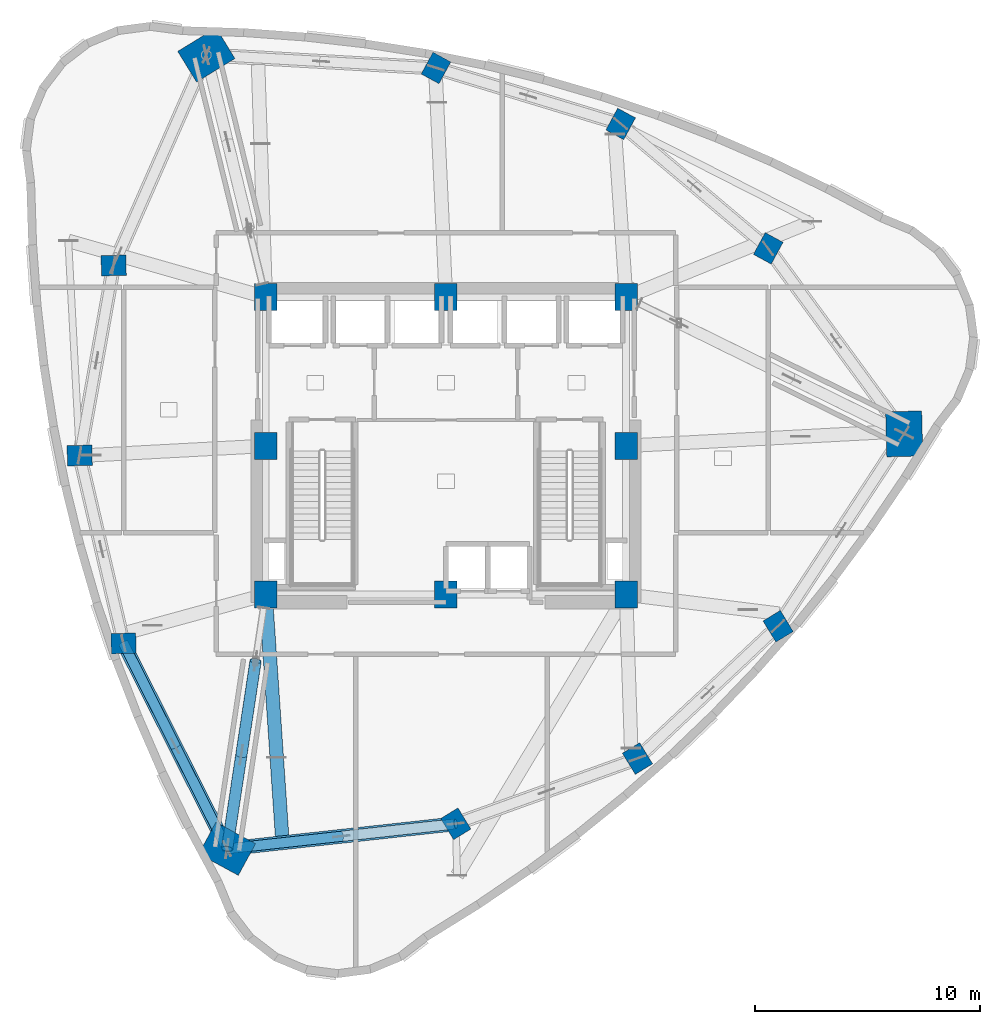
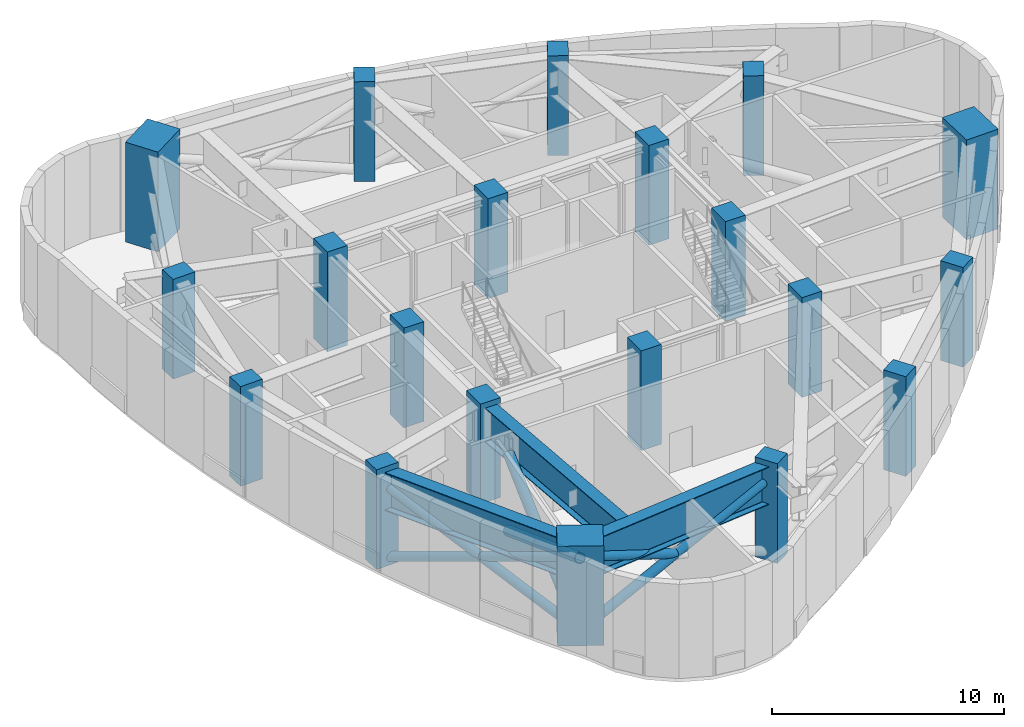
# One storey, part 1 of 12: 20 columns, 8 members, 3 beams.
"""IFC4 building model written with IfcOpenShell, lengths in metres."""

from ifc_helpers import new_model, si_unit, direction, frame, origin, origin_2d, place, context, subcontext, project, spatial, rectangle, hollow_circle, i_section, extrude, material, material_profile, profile_set, type_object, element, save


model = new_model("IFC4")

# Units and contexts
model_context = context("Model", 3, precision=1e-05, world=origin(), true_north=direction((0.0, 1.0)))
body_context = subcontext(model_context, "Body", "Model", "MODEL_VIEW")
ifc_project = project(units=[si_unit("LENGTHUNIT", "METRE"), si_unit("AREAUNIT", "SQUARE_METRE"), si_unit("VOLUMEUNIT", "CUBIC_METRE"), si_unit("PLANEANGLEUNIT", "RADIAN"), si_unit("MASSUNIT", "GRAM", prefix="KILO")], contexts=[model_context])

# Site, building, storey
site_placement = place(None, origin())
site = spatial("IfcSite", under=ifc_project, at=site_placement, CompositionType="ELEMENT")
building_placement = place(site_placement, origin())
building = spatial("IfcBuilding", under=site, at=building_placement, Name="Ndelora Gate Hotel", CompositionType="ELEMENT")
storey_placement = place(building_placement, frame((0.0, 0.0, 168.5)))
storey = spatial("IfcBuildingStorey", under=building, at=storey_placement, Name="L42", CompositionType="ELEMENT", Elevation=168.5)

# Columns
ifc_material_1 = material(Name="Concrete C60/75", Category="concrete")
ifc_material_profile_1 = material_profile(ifc_material_1, rectangle(XDim=1.0, YDim=1.199951171875, at=origin_2d()), Name="RC 1200x1000")
ifc_profile_set_1 = profile_set([ifc_material_profile_1], Name="Concrete C60/75")
column_type_1 = type_object("IfcColumnType", Name="COL-CC-MID", PredefinedType="COLUMN", material=ifc_profile_set_1)
for number, where, z_axis, x_axis, name in (
    (1, (-8.0, -6.60009765625, 0.0), (0.0, 0.0, 1.0), (1.0, 0.0, 0.0), "L42 Core Column CC1"),
    (2, (0.0, -6.60009765625, 0.0), (0.0, 0.0, 1.0), (1.0, 0.0, 0.0), "L42 Core Column CC2"),
    (3, (8.0, -6.60009765625, 0.0), (0.0, 0.0, 1.0), (1.0, 0.0, 0.0), "L42 Core Column CC3"),
    (4, (8.0, 0.0, 0.0), (0.0, 0.0, 1.0), (1.0, 0.0, 0.0), "L42 Core Column CC4"),
    (5, (8.0, 6.60009765625, 0.0), (0.0, 0.0, 1.0), (1.0, 0.0, 0.0), "L42 Core Column CC5"),
    (6, (0.0, 6.60009765625, 0.0), (0.0, 0.0, 1.0), (1.0, 0.0, 0.0), "L42 Core Column CC6"),
    (7, (-8.0, 6.60009765625, 0.0), (0.0, 0.0, 1.0), (1.0, 0.0, 0.0), "L42 Core Column CC7"),
    (8, (-8.0, 0.0, 0.0), (0.0, 0.0, 1.0), (1.0, 0.0, 0.0), "L42 Core Column CC8"),
):
    element("IfcColumn", number, at=place(storey_placement, frame(where, z_axis=z_axis, x_axis=x_axis)), inside=storey, type_object=column_type_1, Name=name, PredefinedType="COLUMN", context=body_context, shape_type="SweptSolid", body=[
        extrude(rectangle(XDim=1.0, YDim=1.199951171875, at=origin_2d()), origin(), (0.0, 0.0, 1.0), 5.25),
    ])
ifc_material_profile_2 = material_profile(ifc_material_1, rectangle(XDim=1.60009765625, YDim=2.0, at=origin_2d()), Name="RC 2000x1600")
ifc_profile_set_2 = profile_set([ifc_material_profile_2], Name="Concrete C60/75")
column_type_2 = type_object("IfcColumnType", Name="COL-MC-Z2", PredefinedType="COLUMN", material=ifc_profile_set_2)
for number, where, z_axis, x_axis, name in (
    (9, (-10.63330078125, 17.351806640625, 0.0), (0.0, 0.0, 1.0), (-0.522498564716, 0.852640164354, 0.0), "L42 Corner Mega-Column R1"),
    (10, (-9.71044921875, -17.884521484375, 0.0), (0.0, 0.0, 1.0), (0.47715876026, 0.878817112662, 0.0), "L42 Corner Mega-Column R5"),
    (11, (20.34375, 0.53271484375, 0.0), (0.0, 0.0, 1.0), (0.999657324976, 0.026176948308, 0.0), "L42 Corner Mega-Column R9"),
):
    element("IfcColumn", number, at=place(storey_placement, frame(where, z_axis=z_axis, x_axis=x_axis)), inside=storey, type_object=column_type_2, Name=name, PredefinedType="COLUMN", context=body_context, shape_type="SweptSolid", body=[
        extrude(rectangle(XDim=1.60009765625, YDim=2.0, at=origin_2d()), origin(), (0.0, 0.0, 1.0), 5.25),
    ])
ifc_material_profile_3 = material_profile(ifc_material_1, rectangle(XDim=0.89990234375, YDim=1.10009765625, at=origin_2d()), Name="RC 1100x900")
ifc_profile_set_3 = profile_set([ifc_material_profile_3], Name="Concrete C60/75")
column_type_3 = type_object("IfcColumnType", Name="COL-PT-Z2", PredefinedType="COLUMN", material=ifc_profile_set_3)
for number, where, z_axis, x_axis, name in (
    (12, (-14.74658203125, 8.006591796875, 0.0), (0.0, 0.0, 1.0), (-0.026176948308, 0.999657324976, 0.0), "L42 Perimeter Tube Column R2"),
    (13, (-16.25537109375, -0.42578125, 0.0), (0.0, 0.0, 1.0), (-0.026176948308, 0.999657324976, 0.0), "L42 Perimeter Tube Column R3"),
    (14, (-14.307373046875, -8.767578125, 0.0), (0.0, 0.0, 1.0), (-0.026176948308, 0.999657324976, 0.0), "L42 Perimeter Tube Column R4"),
    (15, (0.439208984375, -16.7744140625, 0.0), (0.0, 0.0, 1.0), (0.852640164354, 0.522498564716, 0.0), "L42 Perimeter Tube Column R6"),
    (16, (8.50439453125, -13.878173828125, 0.0), (0.0, 0.0, 1.0), (0.852640164354, 0.522498564716, 0.0), "L42 Perimeter Tube Column R7"),
    (17, (14.74658203125, -8.006591796875, 0.0), (0.0, 0.0, 1.0), (0.852640164354, 0.522498564716, 0.0), "L42 Perimeter Tube Column R8"),
    (18, (14.30712890625, 8.767333984375, 0.0), (0.0, 0.0, 1.0), (-0.878817112662, 0.47715876026, 0.0), "L42 Perimeter Tube Column R10"),
    (19, (7.759033203125, 14.290283203125, 0.0), (0.0, 0.0, 1.0), (-0.878817112662, 0.47715876026, 0.0), "L42 Perimeter Tube Column R11"),
    (20, (-0.439208984375, 16.7744140625, 0.0), (0.0, 0.0, 1.0), (-0.878817112662, 0.47715876026, 0.0), "L42 Perimeter Tube Column R12"),
):
    element("IfcColumn", number, at=place(storey_placement, frame(where, z_axis=z_axis, x_axis=x_axis)), inside=storey, type_object=column_type_3, Name=name, PredefinedType="COLUMN", context=body_context, shape_type="SweptSolid", body=[
        extrude(rectangle(XDim=0.89990234375, YDim=1.10009765625, at=origin_2d()), origin(), (0.0, 0.0, 1.0), 5.25),
    ])

# Beams
ifc_material_2 = material(Name="Steel S460", Category="steel")
ifc_material_profile_4 = material_profile(ifc_material_2, i_section(OverallWidth=0.60009765625, OverallDepth=1.800048828125, WebThickness=0.028076171875, FlangeThickness=0.0400390625, FilletRadius=0.02392578125, at=origin_2d()), Name="PG 1800x600x40")
ifc_profile_set_4 = profile_set([ifc_material_profile_4], Name="Steel S460")
beam_type_1 = type_object("IfcBeamType", Name="BM-TR-1800", PredefinedType="BEAM", material=ifc_profile_set_4)
beam_placement = place(storey_placement, frame((-8.0, -6.60009765625, 4.06005859375), z_axis=(0.067872197267, -0.997694023656, 0.0), x_axis=(0.997694023656, 0.067872197267, 0.0)))
element("IfcBeam", 21, at=beam_placement, inside=storey, type_object=beam_type_1, Name="L42 Setback Two-Support Radial Transfer Girder 6", PredefinedType="BEAM", context=body_context, shape_type="SweptSolid", body=[
    extrude(i_section(OverallWidth=0.60009765625, OverallDepth=1.800048828125, WebThickness=0.028076171875, FlangeThickness=0.0400390625, FilletRadius=0.02392578125, at=origin_2d()), origin(), (0.0, 0.0, 1.0), 10.74072265625),
])
ifc_material_profile_5 = material_profile(ifc_material_2, i_section(OverallWidth=0.6201171875, OverallDepth=2.0, WebThickness=0.028076171875, FlangeThickness=0.0400390625, FilletRadius=0.02392578125, at=origin_2d()), Name="PG 2000x620x40")
ifc_profile_set_5 = profile_set([ifc_material_profile_5], Name="Steel S460")
beam_type_2 = type_object("IfcBeamType", Name="BM-TR-2000", PredefinedType="BEAM", material=ifc_profile_set_5)
for number, where, z_axis, x_axis, name in (
    (22, (-14.307373046875, -8.767578125, 3.9599609375), (0.450223868811, -0.892915711561, 0.0), (0.892915711561, 0.450223868811, 0.0), "L42 Belt Truss Top Chord Girder 4"),
    (23, (-9.71044921875, -17.884521484375, 3.9599609375), (0.994071812898, 0.108725483685, 0.0), (-0.108725483685, 0.994071812898, 0.0), "L42 Belt Truss Top Chord Girder 5"),
):
    element("IfcBeam", number, at=place(storey_placement, frame(where, z_axis=z_axis, x_axis=x_axis)), inside=storey, type_object=beam_type_2, Name=name, PredefinedType="BEAM", context=body_context, shape_type="SweptSolid", body=[
        extrude(i_section(OverallWidth=0.6201171875, OverallDepth=2.0, WebThickness=0.028076171875, FlangeThickness=0.0400390625, FilletRadius=0.02392578125, at=origin_2d()), origin(), (0.0, 0.0, 1.0), 10.210205078125),
    ])

# Members
ifc_material_profile_6 = material_profile(ifc_material_2, hollow_circle(Radius=0.228515625, WallThickness=0.02490234375, at=origin_2d()), Name="CHS 457x25")
ifc_profile_set_6 = profile_set([ifc_material_profile_6], Name="Steel S460")
member_type_1 = type_object("IfcMemberType", Name="MB-BELT-457", PredefinedType="BRACE", material=ifc_profile_set_6)
member_1_placement = place(storey_placement, frame((-14.307373046875, -8.767578125, 0.239990234375), z_axis=(0.420312584294, -0.833593543751, 0.358411963111), x_axis=(0.892915711561, 0.450223868811, 0.0)))
element("IfcMember", 24, at=member_1_placement, inside=storey, type_object=member_type_1, Name="L42 Storey-Deep Belt Truss Continuous Diagonal 4A", PredefinedType="BRACE", context=body_context, shape_type="SweptSolid", body=[
    extrude(hollow_circle(Radius=0.228515625, WallThickness=0.02490234375, at=origin_2d()), origin(), (0.0, 0.0, 1.0), 10.93701171875),
])
for number, where, z_axis, x_axis, name in (
    (25, (-9.71044921875, -17.884521484375, 0.239990234375), (-0.420286384126, 0.833608175526, 0.358408656444), (-0.89293017037, -0.450195191938, 0.0), "L42 Storey-Deep Belt Truss Split Diagonal 4B-Lower"),
    (26, (-12.0087890625, -13.325927734375, 2.199951171875), (-0.420338784562, 0.833578910946, 0.358415269513), (-0.892901251526, -0.450252545826, 0.0), "L42 Storey-Deep Belt Truss Split Diagonal 4B-Upper"),
):
    element("IfcMember", number, at=place(storey_placement, frame(where, z_axis=z_axis, x_axis=x_axis)), inside=storey, type_object=member_type_1, Name=name, PredefinedType="BRACE", context=body_context, shape_type="SweptSolid", body=[
        extrude(hollow_circle(Radius=0.228515625, WallThickness=0.02490234375, at=origin_2d()), origin(), (0.0, 0.0, 1.0), 5.468505859375),
    ])
member_2_placement = place(storey_placement, frame((-9.71044921875, -17.884521484375, 0.239990234375), z_axis=(0.928027781499, 0.101501992218, 0.358415655828), x_axis=(-0.108725483685, 0.994071812898, 0.0)))
element("IfcMember", 27, at=member_2_placement, inside=storey, type_object=member_type_1, Name="L42 Storey-Deep Belt Truss Continuous Diagonal 5A", PredefinedType="BRACE", context=body_context, shape_type="SweptSolid", body=[
    extrude(hollow_circle(Radius=0.228515625, WallThickness=0.02490234375, at=origin_2d()), origin(), (0.0, 0.0, 1.0), 10.936767578125),
])
member_3_placement = place(storey_placement, frame((-4.6357421875, -17.32958984375, 2.199951171875), z_axis=(-0.928026786379, -0.101482001609, 0.358423893055), x_axis=(0.108704438667, -0.994074114447, 0.0)))
element("IfcMember", 28, at=member_3_placement, inside=storey, type_object=member_type_1, Name="L42 Storey-Deep Belt Truss Split Diagonal 5B-Upper", PredefinedType="BRACE", context=body_context, shape_type="SweptSolid", body=[
    extrude(hollow_circle(Radius=0.228515625, WallThickness=0.02490234375, at=origin_2d()), origin(), (0.0, 0.0, 1.0), 5.46826171875),
])
ifc_material_profile_7 = material_profile(ifc_material_2, hollow_circle(Radius=0.25390625, WallThickness=0.028076171875, at=origin_2d()), Name="CHS 508x28")
ifc_profile_set_7 = profile_set([ifc_material_profile_7], Name="Steel S460")
member_type_2 = type_object("IfcMemberType", Name="MB-OUT-508", PredefinedType="BRACE", material=ifc_profile_set_7)
member_4_placement = place(storey_placement, frame((-8.447265625, -9.550048828125, 0.0), z_axis=(-0.135006727086, -0.890773028461, 0.433931556134), x_axis=(0.988708743658, -0.149849992375, 0.0)))
element("IfcMember", 29, at=member_4_placement, inside=storey, type_object=member_type_2, Name="L42 Core-to-Mega-Column Outrigger Continuous Arm 2A", PredefinedType="BRACE", context=body_context, shape_type="SweptSolid", body=[
    extrude(hollow_circle(Radius=0.25390625, WallThickness=0.028076171875, at=origin_2d()), origin(), (0.0, 0.0, 1.0), 9.3564453125),
])
for number, where, z_axis, x_axis, name in (
    (30, (-8.447265625, -9.550048828125, 4.06005859375), (-0.135006727086, -0.890773028461, -0.433931556134), (0.988708743658, -0.149849992375, 0.0), "L42 Core-to-Mega-Column Outrigger Split Arm 2B-Upper"),
    (31, (-9.078857421875, -13.71728515625, 2.030029296875), (-0.135006727086, -0.890773028461, -0.433931556134), (0.988708743658, -0.149849992375, 0.0), "L42 Core-to-Mega-Column Outrigger Split Arm 2B-Lower"),
):
    element("IfcMember", number, at=place(storey_placement, frame(where, z_axis=z_axis, x_axis=x_axis)), inside=storey, type_object=member_type_2, Name=name, PredefinedType="BRACE", context=body_context, shape_type="SweptSolid", body=[
        extrude(hollow_circle(Radius=0.25390625, WallThickness=0.028076171875, at=origin_2d()), origin(), (0.0, 0.0, 1.0), 4.67822265625),
    ])

save(model, "model.ifc")
